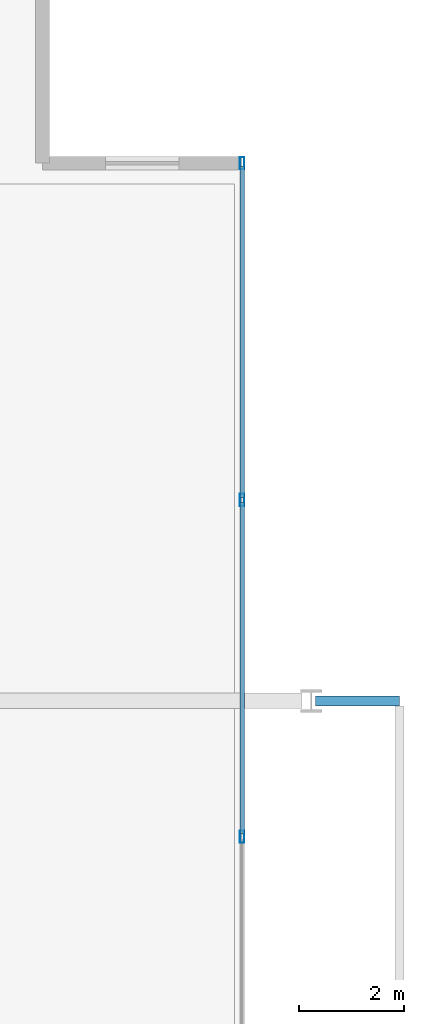
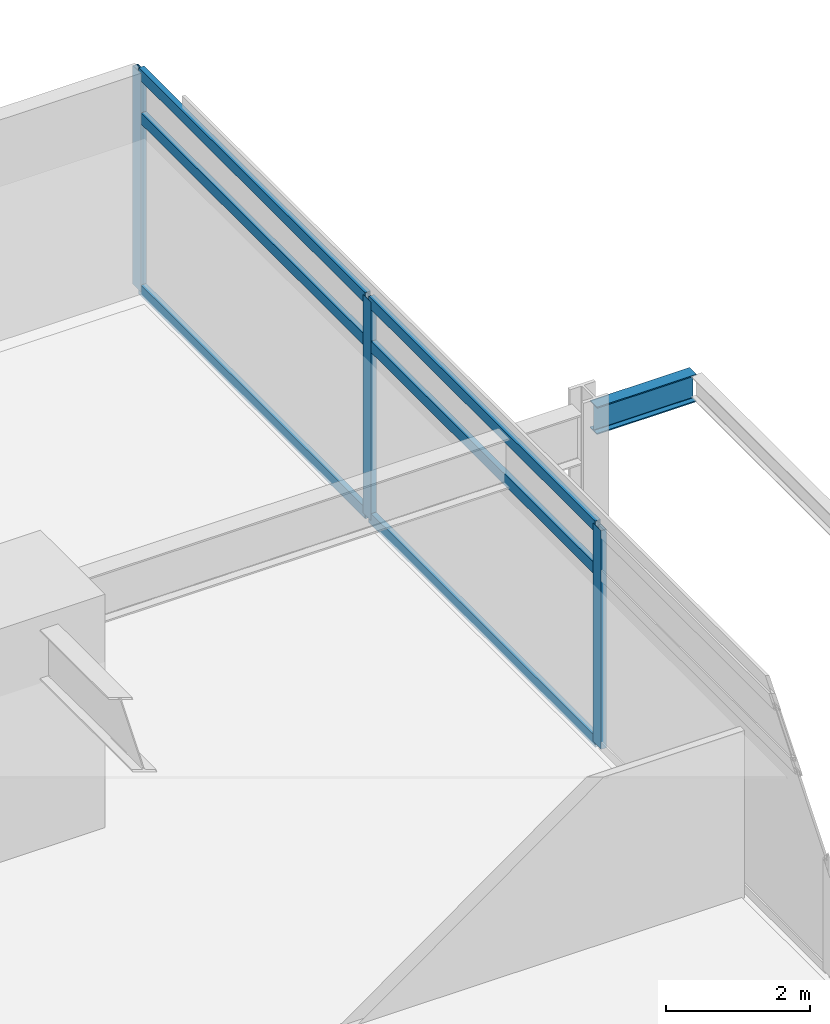
# One storey, part 10 of 19: 9 members, 1 beam, 1 element without a shape of its own.
"""IFC4 building model written with IfcOpenShell, lengths in metres."""

from ifc_helpers import new_model, si_unit, direction, frame, origin, origin_2d, place, context, subcontext, project, spatial, hollow_rectangle, i_section, extrude, material, material_profile, profile_set, type_object, element, aggregate, save


model = new_model("IFC4")

# Units and contexts
model_context = context("Model", 3, precision=1e-05, world=origin(), true_north=direction((0.0, 1.0)))
body_context = subcontext(model_context, "Body", "Model", "MODEL_VIEW")
ifc_project = project(units=[si_unit("LENGTHUNIT", "METRE"), si_unit("AREAUNIT", "SQUARE_METRE"), si_unit("VOLUMEUNIT", "CUBIC_METRE"), si_unit("PLANEANGLEUNIT", "RADIAN"), si_unit("MASSUNIT", "GRAM", prefix="KILO")], contexts=[model_context])

# Site, building, storey
site_placement = place(None, origin())
site = spatial("IfcSite", under=ifc_project, at=site_placement, CompositionType="ELEMENT")
building_placement = place(site_placement, origin())
building = spatial("IfcBuilding", under=site, at=building_placement, Name="Kovane Verandah Tower", CompositionType="ELEMENT")
storey_placement = place(building_placement, frame((0.0, 0.0, 83.60009765625)))
storey = spatial("IfcBuildingStorey", under=building, at=storey_placement, Name="L19", CompositionType="ELEMENT", Elevation=83.60009765625)

# Curtain wall, members
ifc_material_1 = material(Name="Champagne Anodised Aluminium Frame with Low-E Clear Laminated Glass", Category="aluminium")
curtain_wall_type = type_object("IfcCurtainWallType", Name="CW-SYS-02-LOW", PredefinedType="NOTDEFINED", material=ifc_material_1)
curtain_wall_placement = place(storey_placement, origin())
curtain_wall = element("IfcCurtainWall", 1, at=curtain_wall_placement, inside=storey, type_object=curtain_wall_type, Name="L19 E Unitised Curtain Wall", PredefinedType="NOTDEFINED")
ifc_material_2 = material(Name="Champagne Anodised Aluminium 6063-T6", Category="aluminium")
ifc_material_profile_1 = material_profile(ifc_material_2, hollow_rectangle(XDim=0.0849609375, YDim=0.22998046875, WallThickness=0.00390625, at=origin_2d()), Name="AL85x230x4")
ifc_profile_set_1 = profile_set([ifc_material_profile_1], Name="Champagne Anodised Aluminium 6063-T6")
member_type_1 = type_object("IfcMemberType", Name="CW-MUL-85x230", PredefinedType="MULLION", material=ifc_profile_set_1)
member_1_placement = place(storey_placement, frame((66.28466796875, 33.9130859375, 0.02001953125), z_axis=(0.0, 0.0, 1.0), x_axis=(1.0, 0.0, 0.0)))
member_1 = element("IfcMember", 2, at=member_1_placement, type_object=member_type_1, Name="L19 E Unitised Curtain Wall Mullion 5", PredefinedType="MULLION", context=body_context, shape_type="SweptSolid", body=[
    extrude(hollow_rectangle(XDim=0.0849609375, YDim=0.22998046875, WallThickness=0.00390625, at=origin_2d()), origin(), (0.0, 0.0, 1.0), 3.719970703125),
])
member_2_placement = place(storey_placement, frame((66.28466796875, 40.326171875, 0.02001953125), z_axis=(0.0, 0.0, 1.0), x_axis=(1.0, 0.0, 0.0)))
member_2 = element("IfcMember", 3, at=member_2_placement, type_object=member_type_1, Name="L19 E Unitised Curtain Wall Mullion 6", PredefinedType="MULLION", context=body_context, shape_type="SweptSolid", body=[
    extrude(hollow_rectangle(XDim=0.0849609375, YDim=0.22998046875, WallThickness=0.00390625, at=origin_2d()), origin(), (0.0, 0.0, 1.0), 3.719970703125),
])
member_3_placement = place(storey_placement, frame((66.28466796875, 46.7392578125, 0.02001953125), z_axis=(0.0, 0.0, 1.0), x_axis=(1.0, 0.0, 0.0)))
member_3 = element("IfcMember", 4, at=member_3_placement, type_object=member_type_1, Name="L19 E Unitised Curtain Wall Mullion 7", PredefinedType="MULLION", context=body_context, shape_type="SweptSolid", body=[
    extrude(hollow_rectangle(XDim=0.0849609375, YDim=0.22998046875, WallThickness=0.00390625, at=origin_2d()), origin(), (0.0, 0.0, 1.0), 3.719970703125),
])
ifc_material_profile_2 = material_profile(ifc_material_2, hollow_rectangle(XDim=0.0849609375, YDim=0.18994140625, WallThickness=0.00390625, at=origin_2d()), Name="AL85x190x4")
ifc_profile_set_2 = profile_set([ifc_material_profile_2], Name="Champagne Anodised Aluminium 6063-T6")
member_type_2 = type_object("IfcMemberType", Name="CW-TRN-85x190", PredefinedType="USERDEFINED", material=ifc_profile_set_2)
member_4_placement = place(storey_placement, frame((66.28466796875, 33.963134765625, 0.0498046875), z_axis=(0.0, 1.0, 0.0), x_axis=(-1.0, 0.0, 0.0)))
member_4 = element("IfcMember", 5, at=member_4_placement, type_object=member_type_2, Name="L19 E Unitised Curtain Wall Transom TB Bay 5", ObjectType="TRANSOM", PredefinedType="USERDEFINED", context=body_context, shape_type="SweptSolid", body=[
    extrude(hollow_rectangle(XDim=0.0849609375, YDim=0.18994140625, WallThickness=0.00390625, at=origin_2d()), origin(), (0.0, 0.0, 1.0), 6.31298828125),
])
member_5_placement = place(storey_placement, frame((66.28466796875, 33.963134765625, 2.97998046875), z_axis=(0.0, 1.0, 0.0), x_axis=(-1.0, 0.0, 0.0)))
member_5 = element("IfcMember", 6, at=member_5_placement, type_object=member_type_2, Name="L19 E Unitised Curtain Wall Transom TM Bay 5", ObjectType="TRANSOM", PredefinedType="USERDEFINED", context=body_context, shape_type="SweptSolid", body=[
    extrude(hollow_rectangle(XDim=0.0849609375, YDim=0.18994140625, WallThickness=0.00390625, at=origin_2d()), origin(), (0.0, 0.0, 1.0), 6.31298828125),
])
member_6_placement = place(storey_placement, frame((66.28466796875, 33.963134765625, 3.7099609375), z_axis=(0.0, 1.0, 0.0), x_axis=(-1.0, 0.0, 0.0)))
member_6 = element("IfcMember", 7, at=member_6_placement, type_object=member_type_2, Name="L19 E Unitised Curtain Wall Transom TT Bay 5", ObjectType="TRANSOM", PredefinedType="USERDEFINED", context=body_context, shape_type="SweptSolid", body=[
    extrude(hollow_rectangle(XDim=0.0849609375, YDim=0.18994140625, WallThickness=0.00390625, at=origin_2d()), origin(), (0.0, 0.0, 1.0), 6.31298828125),
])
member_7_placement = place(storey_placement, frame((66.28466796875, 40.376220703125, 0.0498046875), z_axis=(0.0, 1.0, 0.0), x_axis=(-1.0, 0.0, 0.0)))
member_7 = element("IfcMember", 8, at=member_7_placement, type_object=member_type_2, Name="L19 E Unitised Curtain Wall Transom TB Bay 6", ObjectType="TRANSOM", PredefinedType="USERDEFINED", context=body_context, shape_type="SweptSolid", body=[
    extrude(hollow_rectangle(XDim=0.0849609375, YDim=0.18994140625, WallThickness=0.00390625, at=origin_2d()), origin(), (0.0, 0.0, 1.0), 6.31298828125),
])
member_8_placement = place(storey_placement, frame((66.28466796875, 40.376220703125, 2.97998046875), z_axis=(0.0, 1.0, 0.0), x_axis=(-1.0, 0.0, 0.0)))
member_8 = element("IfcMember", 9, at=member_8_placement, type_object=member_type_2, Name="L19 E Unitised Curtain Wall Transom TM Bay 6", ObjectType="TRANSOM", PredefinedType="USERDEFINED", context=body_context, shape_type="SweptSolid", body=[
    extrude(hollow_rectangle(XDim=0.0849609375, YDim=0.18994140625, WallThickness=0.00390625, at=origin_2d()), origin(), (0.0, 0.0, 1.0), 6.31298828125),
])
member_9_placement = place(storey_placement, frame((66.28466796875, 40.376220703125, 3.7099609375), z_axis=(0.0, 1.0, 0.0), x_axis=(-1.0, 0.0, 0.0)))
member_9 = element("IfcMember", 10, at=member_9_placement, type_object=member_type_2, Name="L19 E Unitised Curtain Wall Transom TT Bay 6", ObjectType="TRANSOM", PredefinedType="USERDEFINED", context=body_context, shape_type="SweptSolid", body=[
    extrude(hollow_rectangle(XDim=0.0849609375, YDim=0.18994140625, WallThickness=0.00390625, at=origin_2d()), origin(), (0.0, 0.0, 1.0), 6.31298828125),
])
aggregate(curtain_wall, [member_1, member_2, member_3, member_4, member_5, member_6, member_7, member_8, member_9])

# Beam
ifc_material_3 = material(Name="Steel S355", Category="steel")
ifc_material_profile_3 = material_profile(ifc_material_3, i_section(OverallWidth=0.19287109375, OverallDepth=0.46728515625, WebThickness=0.011474609375, FlangeThickness=0.01953125, FilletRadius=0.01025390625, at=origin_2d()), Name="UB457x191x98")
ifc_profile_set_3 = profile_set([ifc_material_profile_3], Name="Steel S355")
beam_type = type_object("IfcBeamType", Name="JST-UB457x98", PredefinedType="JOIST", material=ifc_profile_set_3)
beam_placement = place(storey_placement, frame((67.679931640625, 36.5, 3.5263671875), z_axis=(1.0, 0.0, 0.0), x_axis=(0.0, 1.0, 0.0)))
element("IfcBeam", 11, at=beam_placement, inside=storey, type_object=beam_type, Name="L19 East Planter Girder 2", PredefinedType="JOIST", context=body_context, shape_type="SweptSolid", body=[
    extrude(i_section(OverallWidth=0.19287109375, OverallDepth=0.46728515625, WebThickness=0.011474609375, FlangeThickness=0.01953125, FilletRadius=0.01025390625, at=origin_2d()), origin(), (0.0, 0.0, 1.0), 1.599853515625),
])

save(model, "model.ifc")
